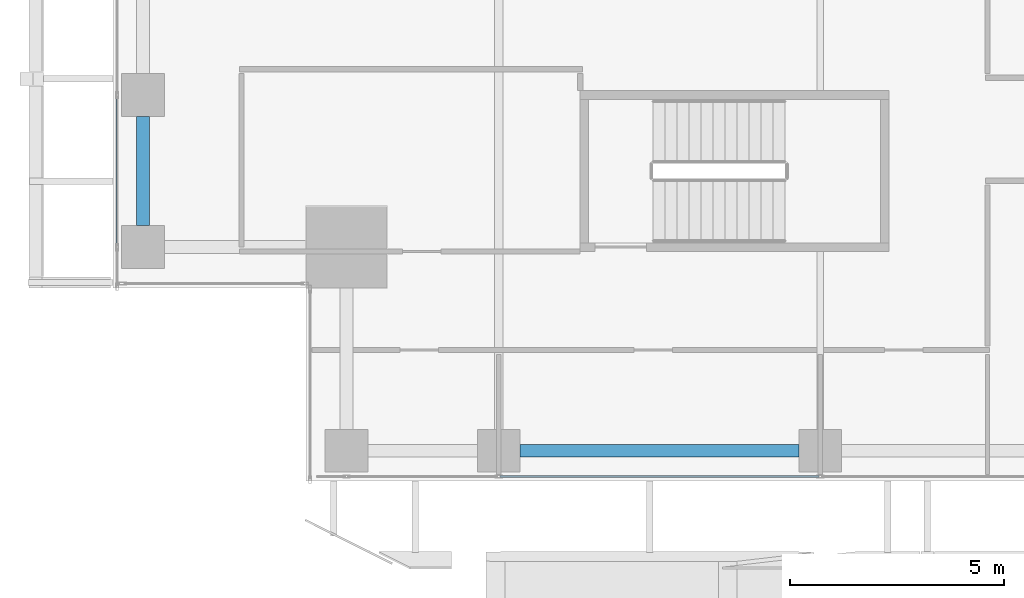
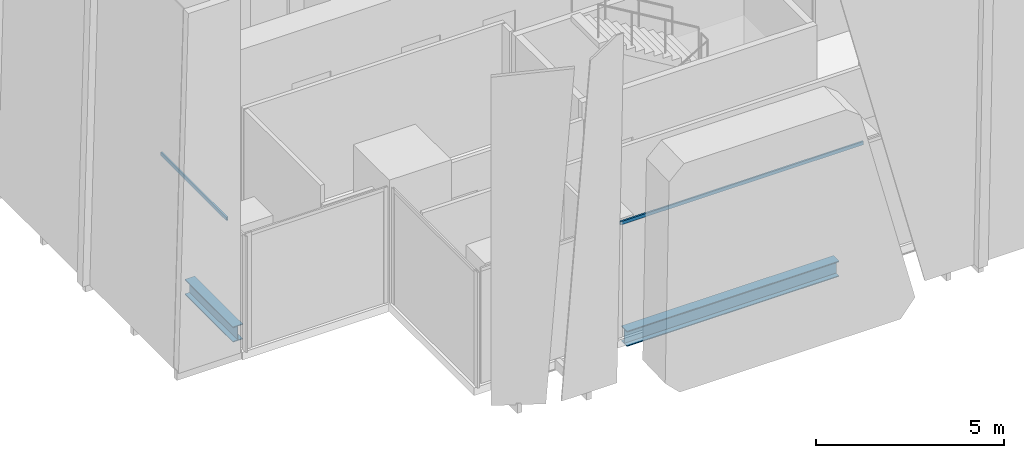
# One storey, part 3 of 35: 2 beams, 2 members, 2 elements without a shape of their own.
"""IFC4 building model written with IfcOpenShell, lengths in metres."""

from ifc_helpers import new_model, si_unit, direction, frame, origin, origin_2d, place, context, subcontext, project, spatial, hollow_rectangle, i_section, extrude, source, transform, mapped, material, material_profile, profile_set, type_object, element, aggregate, save


model = new_model("IFC4")

# Units and contexts
model_context = context("Model", 3, precision=1e-05, world=origin(), true_north=direction((0.0, 1.0)))
body_context = subcontext(model_context, "Body", "Model", "MODEL_VIEW")
ifc_project = project(units=[si_unit("LENGTHUNIT", "METRE"), si_unit("AREAUNIT", "SQUARE_METRE"), si_unit("VOLUMEUNIT", "CUBIC_METRE"), si_unit("PLANEANGLEUNIT", "RADIAN"), si_unit("MASSUNIT", "GRAM", prefix="KILO")], contexts=[model_context])

# Site, building, storey
site_placement = place(None, origin())
site = spatial("IfcSite", under=ifc_project, at=site_placement, CompositionType="ELEMENT")
building_placement = place(site_placement, origin())
building = spatial("IfcBuilding", under=site, at=building_placement, Name="Khomas Fold Tower", CompositionType="ELEMENT")
storey_placement = place(building_placement, frame((0.0, 0.0, 188.699951171875)))
storey = spatial("IfcBuildingStorey", under=building, at=storey_placement, Name="L41", CompositionType="ELEMENT", Elevation=188.699951171875)

# Beams
ifc_material_1 = material(Name="Steel S355", Category="steel")
ifc_material_profile_1 = material_profile(ifc_material_1, i_section(OverallWidth=0.300048828125, OverallDepth=0.5, WebThickness=0.014404296875, FlangeThickness=0.028076171875, at=origin_2d()), Name="HE 500 B")
ifc_profile_set_1 = profile_set([ifc_material_profile_1], Name="Steel S355")
beam_type = type_object("IfcBeamType", Name="HE 500 B spandrel SB3", PredefinedType="SPANDREL", material=ifc_profile_set_1)
shared_shape_1 = source(origin(), body_context, "Body", "SweptSolid", [
    extrude(i_section(OverallWidth=0.300048828125, OverallDepth=0.5, WebThickness=0.014404296875, FlangeThickness=0.028076171875, at=origin_2d()), origin(), (0.0, 0.0, 1.0), 2.550048828125),
])
beam_1_placement = place(storey_placement, frame((3.699951171875, 8.949951171875, -0.5), z_axis=(0.0, 1.0, 0.0), x_axis=(-1.0, 0.0, 0.0)))
element("IfcBeam", 1, at=beam_1_placement, inside=storey, type_object=beam_type, Name="SB3", PredefinedType="SPANDREL", context=body_context, shape_type="MappedRepresentation", body=[
    mapped(shared_shape_1, transform((0.0, 0.0, 0.0))),
])
shared_shape_2 = source(origin(), body_context, "Body", "SweptSolid", [
    extrude(i_section(OverallWidth=0.300048828125, OverallDepth=0.5, WebThickness=0.014404296875, FlangeThickness=0.028076171875, at=origin_2d()), origin(), (0.0, 0.0, 1.0), 6.5),
])
beam_2_placement = place(storey_placement, frame((12.5, 3.699951171875, -0.5), z_axis=(1.0, 0.0, 0.0), x_axis=(0.0, 1.0, 0.0)))
element("IfcBeam", 2, at=beam_2_placement, inside=storey, type_object=beam_type, Name="SB3", PredefinedType="SPANDREL", context=body_context, shape_type="MappedRepresentation", body=[
    mapped(shared_shape_2, transform((0.0, 0.0, 0.0))),
])

# Curtain wall, member
ifc_material_2 = material(Name="Aluminium framed double glazing", Category="aluminium")
curtain_wall_type = type_object("IfcCurtainWallType", Name="SK-Unitised clear-glass wall, office floors CW2", PredefinedType="NOTDEFINED", material=ifc_material_2)
curtain_wall_1_placement = place(storey_placement, origin())
curtain_wall_1 = element("IfcCurtainWall", 3, at=curtain_wall_1_placement, inside=storey, type_object=curtain_wall_type, Name="CW2 run L41 09-0", PredefinedType="NOTDEFINED")
ifc_material_3 = material(Name="Aluminium", Category="aluminium")
ifc_material_profile_2 = material_profile(ifc_material_3, hollow_rectangle(XDim=0.050048828125, YDim=0.110107421875, WallThickness=0.00390625, at=origin_2d()), Name="SK-Unitised clear-glass wall, office floors transom CW2-T")
ifc_profile_set_2 = profile_set([ifc_material_profile_2], Name="Aluminium")
member_type = type_object("IfcMemberType", Name="SK-Unitised clear-glass wall, office floors transom CW2-T", PredefinedType="USERDEFINED", material=ifc_profile_set_2)
shared_shape_3 = source(origin(), body_context, "Body", "SweptSolid", [
    extrude(hollow_rectangle(XDim=0.050048828125, YDim=0.110107421875, WallThickness=0.00390625, at=origin_2d()), origin(), (0.0, 0.0, 1.0), 3.489990234375),
])
member_1_placement = place(storey_placement, frame((3.10009765625, 11.969970703125, 3.695068359375), z_axis=(0.0, -1.0, 0.0), x_axis=(1.0, 0.0, 0.0)))
member_1 = element("IfcMember", 4, at=member_1_placement, type_object=member_type, Name="CW2 transom 7", ObjectType="TRANSOM", PredefinedType="USERDEFINED", context=body_context, shape_type="MappedRepresentation", body=[
    mapped(shared_shape_3, transform((0.0, 0.0, 0.0))),
])
aggregate(curtain_wall_1, [member_1])

curtain_wall_2_placement = place(storey_placement, origin())
curtain_wall_2 = element("IfcCurtainWall", 5, at=curtain_wall_2_placement, inside=storey, type_object=curtain_wall_type, Name="CW2 run L41 00-0", PredefinedType="NOTDEFINED")
shared_shape_4 = source(origin(), body_context, "Body", "SweptSolid", [
    extrude(hollow_rectangle(XDim=0.050048828125, YDim=0.110107421875, WallThickness=0.00390625, at=origin_2d()), origin(), (0.0, 0.0, 1.0), 7.43994140625),
])
member_2_placement = place(storey_placement, frame((12.030029296875, 3.10009765625, 3.695068359375), z_axis=(1.0, 0.0, 0.0), x_axis=(0.0, 1.0, 0.0)))
member_2 = element("IfcMember", 6, at=member_2_placement, type_object=member_type, Name="CW2 transom 3", ObjectType="TRANSOM", PredefinedType="USERDEFINED", context=body_context, shape_type="MappedRepresentation", body=[
    mapped(shared_shape_4, transform((0.0, 0.0, 0.0))),
])
aggregate(curtain_wall_2, [member_2])

save(model, "model.ifc")
